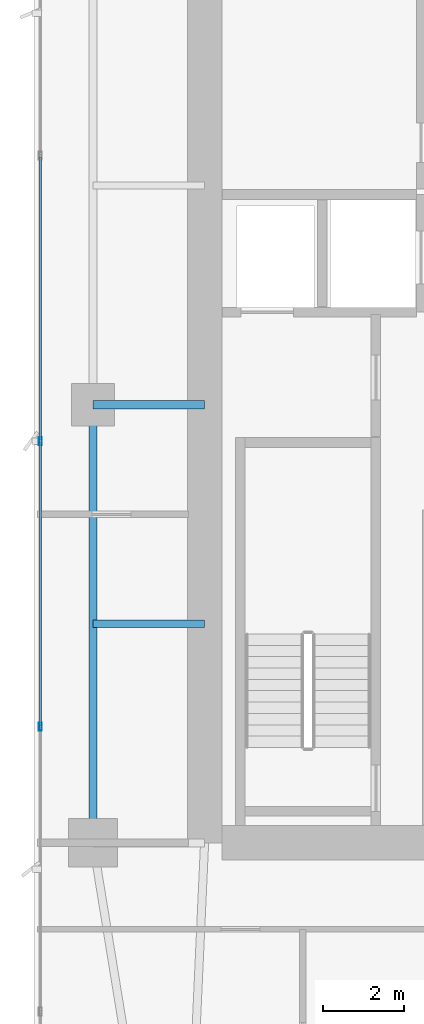
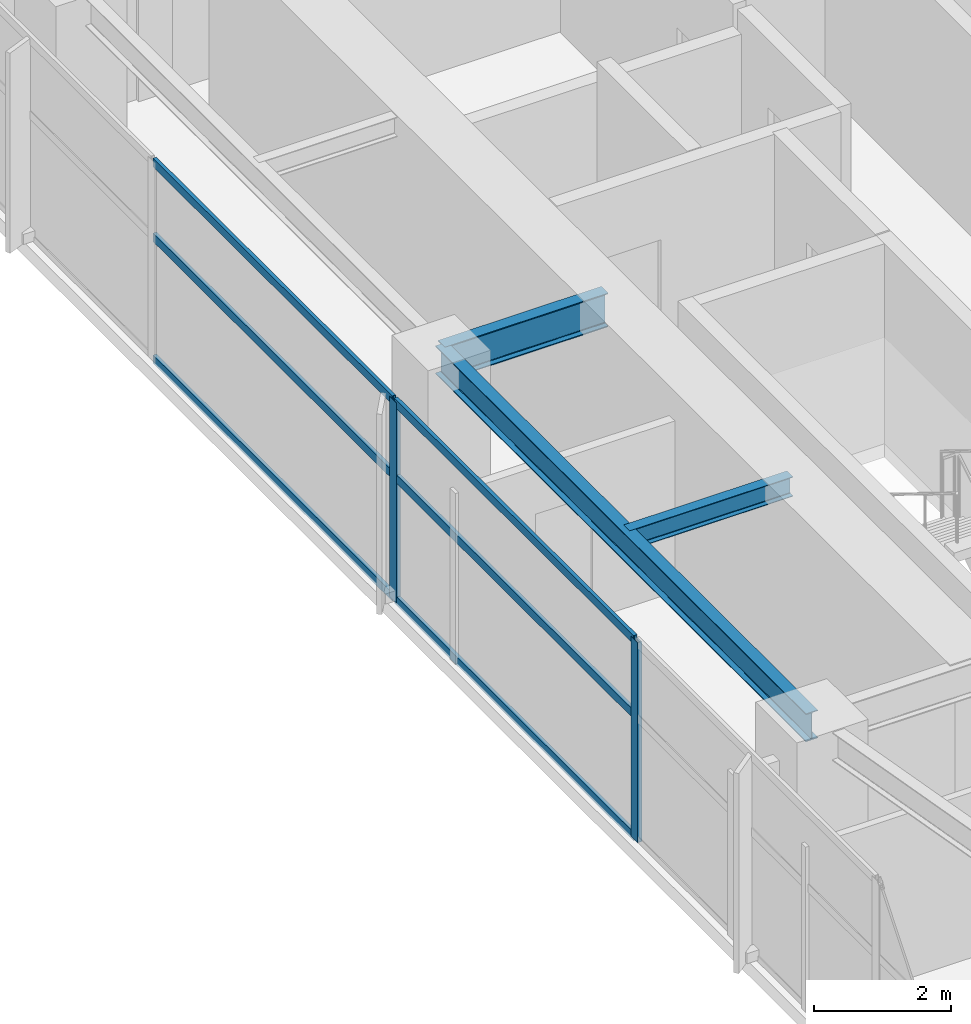
# One storey, part 8 of 28: 8 members, 3 beams, 1 element without a shape of its own.
"""IFC4 building model written with IfcOpenShell, lengths in metres."""

from ifc_helpers import new_model, si_unit, direction, frame, origin, origin_2d, place, context, subcontext, project, spatial, hollow_rectangle, i_section, extrude, material, layer, layer_set, material_profile, profile_set, type_object, element, aggregate, save


model = new_model("IFC4")

# Units and contexts
model_context = context("Model", 3, precision=1e-05, world=origin(), true_north=direction((0.0, 1.0)))
body_context = subcontext(model_context, "Body", "Model", "MODEL_VIEW")
ifc_project = project(units=[si_unit("LENGTHUNIT", "METRE"), si_unit("AREAUNIT", "SQUARE_METRE"), si_unit("VOLUMEUNIT", "CUBIC_METRE"), si_unit("PLANEANGLEUNIT", "RADIAN"), si_unit("MASSUNIT", "GRAM", prefix="KILO")], contexts=[model_context])

# Site, building, storey
site_placement = place(None, origin())
site = spatial("IfcSite", under=ifc_project, at=site_placement, CompositionType="ELEMENT")
building_placement = place(site_placement, origin())
building = spatial("IfcBuilding", under=site, at=building_placement, Name="Calvorn Quay Hotel", CompositionType="ELEMENT")
storey_placement = place(building_placement, frame((0.0, 0.0, 152.300048828125)))
storey = spatial("IfcBuildingStorey", under=building, at=storey_placement, Name="L37", CompositionType="ELEMENT", Elevation=152.300048828125)

# Beams
ifc_material_1 = material(Name="Steel Q355B", Category="steel")
ifc_material_profile_1 = material_profile(ifc_material_1, i_section(OverallWidth=0.199951171875, OverallDepth=0.60009765625, WebThickness=0.010986328125, FlangeThickness=0.01708984375, FilletRadius=0.01806640625, at=origin_2d()), Name="HN600x200x11x17")
ifc_profile_set_1 = profile_set([ifc_material_profile_1], Name="Steel Q355B")
beam_type_1 = type_object("IfcBeamType", Name="BM-GIRD-TYP", PredefinedType="BEAM", material=ifc_profile_set_1)
beam_1_placement = place(storey_placement, frame((1.449951171875, 27.60009765625, 3.239990234375), z_axis=(1.0, 0.0, 0.0), x_axis=(0.0, 1.0, 0.0)))
element("IfcBeam", 1, at=beam_1_placement, inside=storey, type_object=beam_type_1, Name="Beam BG-L37-W2", PredefinedType="BEAM", context=body_context, shape_type="SweptSolid", body=[
    extrude(i_section(OverallWidth=0.199951171875, OverallDepth=0.60009765625, WebThickness=0.010986328125, FlangeThickness=0.01708984375, FilletRadius=0.01806640625, at=origin_2d()), origin(), (0.0, 0.0, 1.0), 2.75),
])
ifc_material_2 = material(Name="Steel Q355B", Category="steel")
ifc_material_profile_2 = material_profile(ifc_material_2, i_section(OverallWidth=0.175048828125, OverallDepth=0.35009765625, WebThickness=0.007080078125, FlangeThickness=0.010986328125, FilletRadius=0.013916015625, at=origin_2d()), Name="HN350x175x7x11")
ifc_profile_set_2 = profile_set([ifc_material_profile_2], Name="Steel Q355B")
beam_type_2 = type_object("IfcBeamType", Name="BM-JOIST-SEC", PredefinedType="JOIST", material=ifc_profile_set_2)
beam_2_placement = place(storey_placement, frame((1.449951171875, 22.199951171875, 3.364990234375), z_axis=(1.0, 0.0, 0.0), x_axis=(0.0, 1.0, 0.0)))
element("IfcBeam", 2, at=beam_2_placement, inside=storey, type_object=beam_type_2, Name="Beam BJ-L37-W3", PredefinedType="JOIST", context=body_context, shape_type="SweptSolid", body=[
    extrude(i_section(OverallWidth=0.175048828125, OverallDepth=0.35009765625, WebThickness=0.007080078125, FlangeThickness=0.010986328125, FilletRadius=0.013916015625, at=origin_2d()), origin(), (0.0, 0.0, 1.0), 2.75),
])
ifc_material_3 = material(Name="Steel Q355B", Category="steel")
ifc_material_profile_3 = material_profile(ifc_material_3, i_section(OverallWidth=0.199951171875, OverallDepth=0.5, WebThickness=0.010009765625, FlangeThickness=0.01611328125, FilletRadius=0.01611328125, at=origin_2d()), Name="HN500x200x10x16")
ifc_profile_set_3 = profile_set([ifc_material_profile_3], Name="Steel Q355B")
beam_type_3 = type_object("IfcBeamType", Name="BM-SPANDREL-Z1", PredefinedType="SPANDREL", material=ifc_profile_set_3)
beam_3_placement = place(storey_placement, frame((1.449951171875, 16.800048828125, 3.2900390625), z_axis=(0.0, 1.0, 0.0), x_axis=(-1.0, 0.0, 0.0)))
element("IfcBeam", 3, at=beam_3_placement, inside=storey, type_object=beam_type_3, Name="Beam BSP-L37-W2", PredefinedType="SPANDREL", context=body_context, shape_type="SweptSolid", body=[
    extrude(i_section(OverallWidth=0.199951171875, OverallDepth=0.5, WebThickness=0.010009765625, FlangeThickness=0.01611328125, FilletRadius=0.01611328125, at=origin_2d()), origin(), (0.0, 0.0, 1.0), 10.800048828125),
])

# Curtain wall, members
ifc_material_4 = material(Name="Pale Anodised Aluminium and Low-E Glass", Category="aluminium")
ifc_layer = layer(ifc_material_4, 0.219970703125)
ifc_layer_set = layer_set([ifc_layer], Name="CW-SYS-Z2")
curtain_wall_type = type_object("IfcCurtainWallType", Name="CW-SYS-Z2", PredefinedType="NOTDEFINED", material=ifc_layer_set)
curtain_wall_placement = place(storey_placement, origin())
curtain_wall = element("IfcCurtainWall", 4, at=curtain_wall_placement, inside=storey, type_object=curtain_wall_type, Name="Tower West Curtain Wall (L37)", PredefinedType="NOTDEFINED")
ifc_material_5 = material(Name="Pale Anodised Aluminium 6063-T6", Category="aluminium")
ifc_material_profile_4 = material_profile(ifc_material_5, hollow_rectangle(XDim=0.070068359375, YDim=0.199951171875, WallThickness=0.00390625, at=origin_2d()), Name="ALU-M200x70x4")
ifc_profile_set_4 = profile_set([ifc_material_profile_4], Name="Pale Anodised Aluminium 6063-T6")
member_type_1 = type_object("IfcMemberType", Name="CW-SYS-Z2-MUL", PredefinedType="MULLION", material=ifc_profile_set_4)
member_1_placement = place(storey_placement, frame((0.14990234375, 19.666748046875, 0.0), z_axis=(0.0, 0.0, 1.0), x_axis=(-1.0, 0.0, 0.0)))
member_1 = element("IfcMember", 5, at=member_1_placement, type_object=member_type_1, Name="CW-L37-W mullion 3", PredefinedType="MULLION", context=body_context, shape_type="SweptSolid", body=[
    extrude(hollow_rectangle(XDim=0.070068359375, YDim=0.199951171875, WallThickness=0.00390625, at=origin_2d()), origin(), (0.0, 0.0, 1.0), 3.56005859375),
])
member_2_placement = place(storey_placement, frame((0.14990234375, 26.699951171875, 0.0), z_axis=(0.0, 0.0, 1.0), x_axis=(-1.0, 0.0, 0.0)))
member_2 = element("IfcMember", 6, at=member_2_placement, type_object=member_type_1, Name="CW-L37-W mullion 4", PredefinedType="MULLION", context=body_context, shape_type="SweptSolid", body=[
    extrude(hollow_rectangle(XDim=0.070068359375, YDim=0.199951171875, WallThickness=0.00390625, at=origin_2d()), origin(), (0.0, 0.0, 1.0), 3.56005859375),
])
ifc_material_6 = material(Name="Pale Anodised Aluminium 6063-T6", Category="aluminium")
ifc_material_profile_5 = material_profile(ifc_material_6, hollow_rectangle(XDim=0.06005859375, YDim=0.14990234375, WallThickness=0.00341796875, at=origin_2d()), Name="ALU-T150x60x3.5")
ifc_profile_set_5 = profile_set([ifc_material_profile_5], Name="Pale Anodised Aluminium 6063-T6")
member_type_2 = type_object("IfcMemberType", Name="CW-SYS-Z2-TRN", PredefinedType="USERDEFINED", material=ifc_profile_set_5)
member_3_placement = place(storey_placement, frame((0.14990234375, 19.69677734375, 0.030029296875), z_axis=(0.0, 1.0, 0.0), x_axis=(-1.0, 0.0, 0.0)))
member_3 = element("IfcMember", 7, at=member_3_placement, type_object=member_type_2, Name="CW-L37-W transom 3.1", ObjectType="TRANSOM", PredefinedType="USERDEFINED", context=body_context, shape_type="SweptSolid", body=[
    extrude(hollow_rectangle(XDim=0.06005859375, YDim=0.14990234375, WallThickness=0.00341796875, at=origin_2d()), origin(), (0.0, 0.0, 1.0), 6.97314453125),
])
member_4_placement = place(storey_placement, frame((0.14990234375, 19.69677734375, 2.199951171875), z_axis=(0.0, 1.0, 0.0), x_axis=(-1.0, 0.0, 0.0)))
member_4 = element("IfcMember", 8, at=member_4_placement, type_object=member_type_2, Name="CW-L37-W transom 3.2", ObjectType="TRANSOM", PredefinedType="USERDEFINED", context=body_context, shape_type="SweptSolid", body=[
    extrude(hollow_rectangle(XDim=0.06005859375, YDim=0.14990234375, WallThickness=0.00341796875, at=origin_2d()), origin(), (0.0, 0.0, 1.0), 6.97314453125),
])
member_5_placement = place(storey_placement, frame((0.14990234375, 19.69677734375, 3.530029296875), z_axis=(0.0, 1.0, 0.0), x_axis=(-1.0, 0.0, 0.0)))
member_5 = element("IfcMember", 9, at=member_5_placement, type_object=member_type_2, Name="CW-L37-W transom 3.3", ObjectType="TRANSOM", PredefinedType="USERDEFINED", context=body_context, shape_type="SweptSolid", body=[
    extrude(hollow_rectangle(XDim=0.06005859375, YDim=0.14990234375, WallThickness=0.00341796875, at=origin_2d()), origin(), (0.0, 0.0, 1.0), 6.97314453125),
])
member_6_placement = place(storey_placement, frame((0.14990234375, 26.72998046875, 0.030029296875), z_axis=(0.0, 1.0, 0.0), x_axis=(-1.0, 0.0, 0.0)))
member_6 = element("IfcMember", 10, at=member_6_placement, type_object=member_type_2, Name="CW-L37-W transom 4.1", ObjectType="TRANSOM", PredefinedType="USERDEFINED", context=body_context, shape_type="SweptSolid", body=[
    extrude(hollow_rectangle(XDim=0.06005859375, YDim=0.14990234375, WallThickness=0.00341796875, at=origin_2d()), origin(), (0.0, 0.0, 1.0), 6.973388671875),
])
member_7_placement = place(storey_placement, frame((0.14990234375, 26.72998046875, 2.199951171875), z_axis=(0.0, 1.0, 0.0), x_axis=(-1.0, 0.0, 0.0)))
member_7 = element("IfcMember", 11, at=member_7_placement, type_object=member_type_2, Name="CW-L37-W transom 4.2", ObjectType="TRANSOM", PredefinedType="USERDEFINED", context=body_context, shape_type="SweptSolid", body=[
    extrude(hollow_rectangle(XDim=0.06005859375, YDim=0.14990234375, WallThickness=0.00341796875, at=origin_2d()), origin(), (0.0, 0.0, 1.0), 6.973388671875),
])
member_8_placement = place(storey_placement, frame((0.14990234375, 26.72998046875, 3.530029296875), z_axis=(0.0, 1.0, 0.0), x_axis=(-1.0, 0.0, 0.0)))
member_8 = element("IfcMember", 12, at=member_8_placement, type_object=member_type_2, Name="CW-L37-W transom 4.3", ObjectType="TRANSOM", PredefinedType="USERDEFINED", context=body_context, shape_type="SweptSolid", body=[
    extrude(hollow_rectangle(XDim=0.06005859375, YDim=0.14990234375, WallThickness=0.00341796875, at=origin_2d()), origin(), (0.0, 0.0, 1.0), 6.973388671875),
])
aggregate(curtain_wall, [member_1, member_2, member_3, member_4, member_5, member_6, member_7, member_8])

save(model, "model.ifc")
